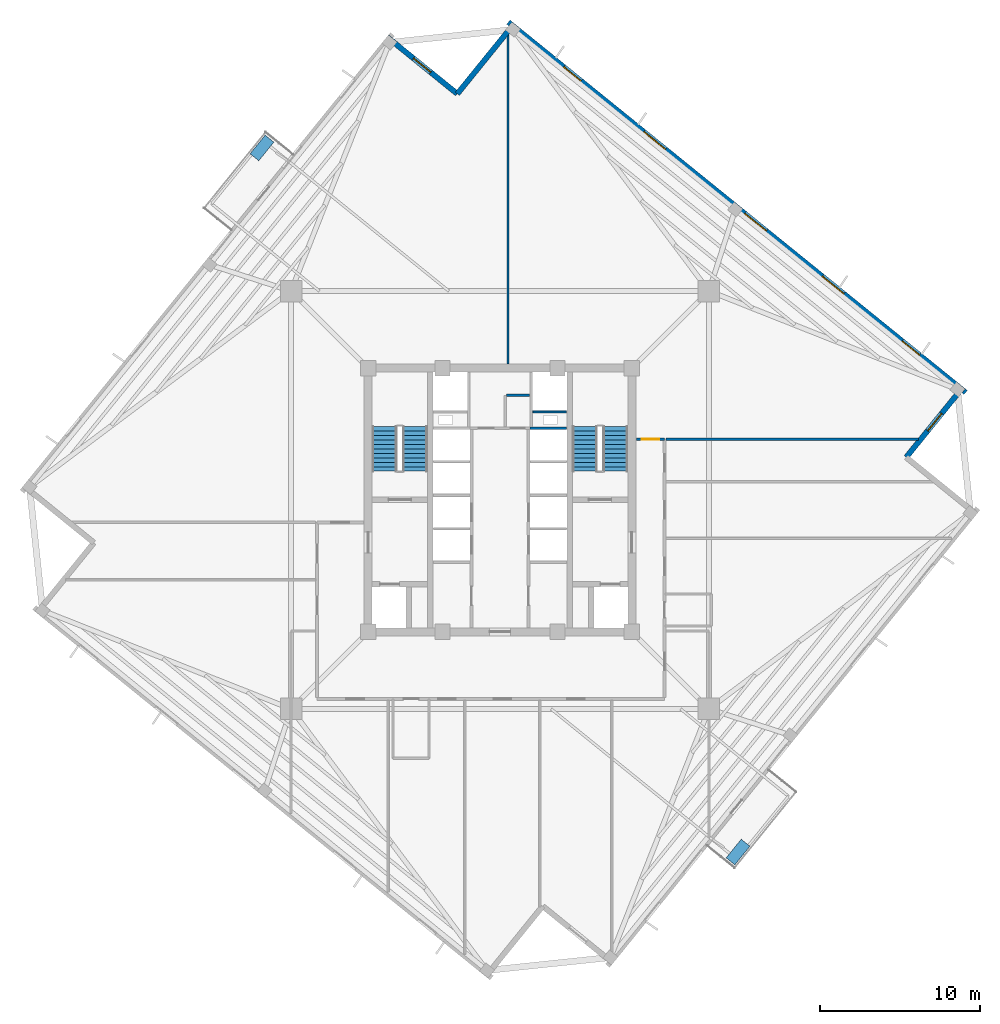
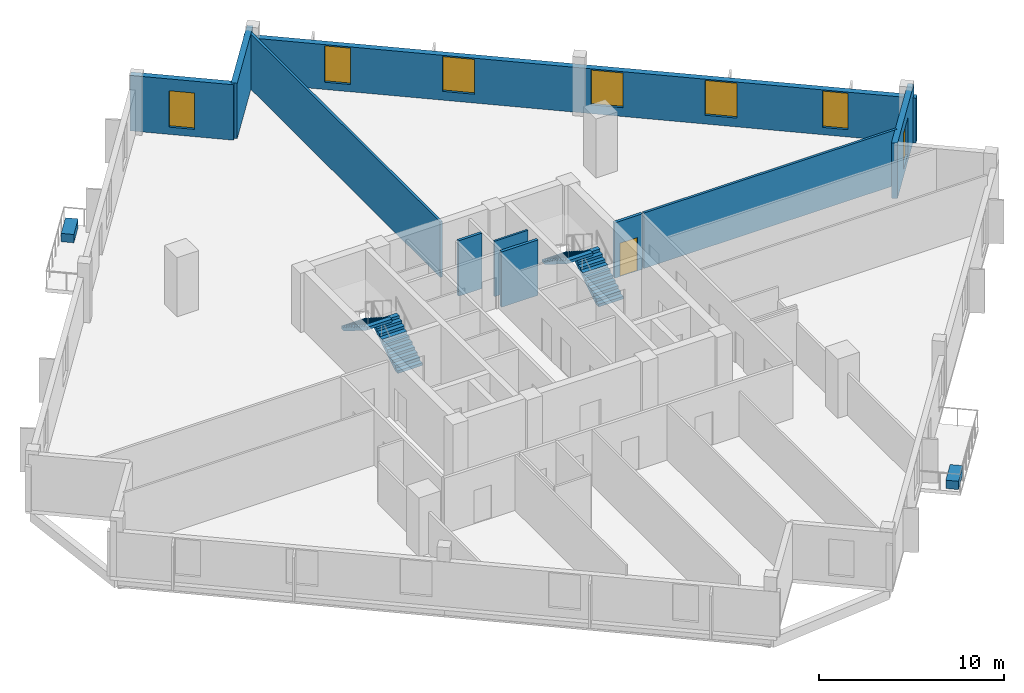
# One storey, part 5 of 9: 10 walls, 7 windows, 4 stair flights, 2 discrete accessories, 1 door, 8 openings, 2 elements without a shape of their own.
"""IFC4 building model written with IfcOpenShell, lengths in metres."""

from ifc_helpers import new_model, si_unit, direction, frame, frame_2d, origin, origin_2d, place, context, subcontext, project, spatial, polyline, rectangle, outline, extrude, source, transform, mapped, material, layer, layer_set, type_object, element, fill, aggregate, save


model = new_model("IFC4")

# Units and contexts
model_context = context("Model", 3, precision=1e-05, world=origin(), true_north=direction((0.0, 1.0)))
body_context = subcontext(model_context, "Body", "Model", "MODEL_VIEW")
ifc_project = project(units=[si_unit("LENGTHUNIT", "METRE"), si_unit("AREAUNIT", "SQUARE_METRE"), si_unit("VOLUMEUNIT", "CUBIC_METRE"), si_unit("PLANEANGLEUNIT", "RADIAN"), si_unit("MASSUNIT", "GRAM", prefix="KILO"), si_unit("THERMODYNAMICTEMPERATUREUNIT", "KELVIN")], contexts=[model_context])

# Site, building, storey
site_placement = place(None, origin())
site = spatial("IfcSite", under=ifc_project, at=site_placement, CompositionType="ELEMENT")
building_placement = place(site_placement, origin())
building = spatial("IfcBuilding", under=site, at=building_placement, Name="Kosmvard Interchange Tower", CompositionType="ELEMENT")
storey_placement = place(building_placement, frame((0.0, 0.0, 213.39990234375)))
storey = spatial("IfcBuildingStorey", under=building, at=storey_placement, Name="L51", CompositionType="ELEMENT", Elevation=213.39990234375)

# Walls
ifc_material_1 = material(Name="Acoustic gypsum partition system")
ifc_layer_1 = layer(ifc_material_1, 0.14990234375, Name="Acoustic gypsum partition system")
ifc_layer_set_1 = layer_set([ifc_layer_1], Name="Acoustic gypsum partition system")
wall_type_1 = type_object("IfcWallType", Name="Acoustic Suite & Meeting Partition 150", PredefinedType="PARTITIONING", material=ifc_layer_set_1)
wall_1_placement = place(storey_placement, frame((0.5, 8.5048828125, 0.0), z_axis=(0.0, 0.0, 1.0), x_axis=(0.0, 1.0, 0.0)))
element("IfcWall", 1, at=wall_1_placement, inside=storey, type_object=wall_type_1, Name="L51 Room Partition 01.1", PredefinedType="PARTITIONING", context=body_context, shape_type="SweptSolid", body=[
    extrude(rectangle(XDim=20.675048828125, YDim=0.14990234375, at=frame_2d((10.33740234375, 0.0))), origin(), (0.0, 0.0, 1.0), 3.66015625),
])
wall_2_placement = place(storey_placement, frame((10.39501953125, 3.800048828125, 0.0), z_axis=(0.0, 0.0, 1.0), x_axis=(1.0, 0.0, 0.0)))
element("IfcWall", 2, at=wall_2_placement, inside=storey, type_object=wall_type_1, Name="L51 Room Partition 04.1", PredefinedType="PARTITIONING", context=body_context, shape_type="SweptSolid", body=[
    extrude(rectangle(XDim=15.811767578125, YDim=0.14990234375, at=frame_2d((7.90576171875, 0.0))), origin(), (0.0, 0.0, 1.0), 3.66015625),
])
ifc_material_2 = material(Name="Concrete blockwork masonry", Category="masonry")
ifc_layer_2 = layer(ifc_material_2, 0.159912109375, Name="Concrete blockwork masonry")
ifc_layer_set_2 = layer_set([ifc_layer_2], Name="Concrete blockwork masonry")
wall_type_2 = type_object("IfcWallType", Name="Core Enclosure Split Wall 160", PredefinedType="PARTITIONING", material=ifc_layer_set_2)
wall_3_placement = place(storey_placement, frame((0.39990234375, 6.550048828125, 0.0), z_axis=(0.0, 0.0, 1.0), x_axis=(1.0, 0.0, 0.0)))
element("IfcWall", 3, at=wall_3_placement, inside=storey, type_object=wall_type_2, Name="L51 Core K3 L-Wall 2", PredefinedType="PARTITIONING", context=body_context, shape_type="SweptSolid", body=[
    extrude(rectangle(XDim=1.460205078125, YDim=0.159912109375, at=frame_2d((0.72998046875, 0.0))), origin(), (0.0, 0.0, 1.0), 3.66015625),
])

# Wall, opening, door
ifc_material_3 = material(Name="Fire-rated gypsum partition system")
ifc_layer_3 = layer(ifc_material_3, 0.179931640625, Name="Fire-rated gypsum partition system")
ifc_layer_set_3 = layer_set([ifc_layer_3], Name="Fire-rated gypsum partition system")
wall_type_3 = type_object("IfcWallType", Name="Corridor & Hotel Compartment Partition 180", PredefinedType="PARTITIONING", material=ifc_layer_set_3)
wall_4_placement = place(storey_placement, frame((8.550048828125, 3.800048828125, 0.0), z_axis=(0.0, 0.0, 1.0), x_axis=(1.0, 0.0, 0.0)))
wall_4 = element("IfcWall", 4, at=wall_4_placement, inside=storey, type_object=wall_type_3, Name="L51 Corridor Wall CNE", PredefinedType="PARTITIONING", context=body_context, shape_type="SweptSolid", body=[
    extrude(rectangle(XDim=1.75, YDim=0.179931640625, at=frame_2d((0.875, 0.0))), origin(), (0.0, 0.0, 1.0), 3.66015625),
])
opening_1_placement = place(wall_4_placement, frame((0.324951171875, 0.0, 0.0)))
opening_1 = element("IfcOpeningElement", 5, at=opening_1_placement, cuts=wall_4, Name="Opening L51-D04", PredefinedType="OPENING", context=body_context, shape_type="SweptSolid", body=[
    extrude(rectangle(XDim=1.10009765625, YDim=2.199951171875, at=frame_2d((0.550048828125, 1.10009765625))), frame((0.0, 0.10009765625, 0.0), z_axis=(0.0, -1.0, 0.0), x_axis=(1.0, 0.0, 0.0)), (0.0, 0.0, 1.0), 0.199951171875),
])
ifc_material_4 = material(Name="Engineered oak fire-rated timber", Category="wood")
door_type = type_object("IfcDoorType", Name="Office Suite Entrance Door 1100x2200 FD30S", OperationType="NOTDEFINED", PredefinedType="DOOR", material=ifc_material_4)
shared_shape_1 = source(origin(), body_context, "Body", "SweptSolid", [
    extrude(rectangle(XDim=1.10009765625, YDim=2.199951171875, at=frame_2d((0.550048828125, 1.10009765625))), frame((0.0, 0.02490234375, 0.0), z_axis=(0.0, -1.0, 0.0), x_axis=(1.0, 0.0, 0.0)), (0.0, 0.0, 1.0), 0.050048828125),
])
door_placement = place(opening_1_placement, origin())
door = element("IfcDoor", 6, at=door_placement, inside=storey, type_object=door_type, Name="L51 North-East Diplomatic Chancery Door", OperationType="SINGLE_SWING_RIGHT", OverallHeight=2.199951171875, OverallWidth=1.10009765625, PredefinedType="DOOR", context=body_context, shape_type="MappedRepresentation", body=[
    mapped(shared_shape_1, transform((0.0, 0.0, 0.0), scale=1.0)),
])
fill(opening_1, door)

# Wall, opening, window
ifc_material_5 = material(Name="Precast concrete C45/55", Category="concrete")
ifc_layer_4 = layer(ifc_material_5, 0.340087890625, Name="Precast concrete C45/55")
ifc_layer_set_4 = layer_set([ifc_layer_4], Name="Precast concrete C45/55")
wall_type_4 = type_object("IfcWallType", Name="Mid Tower Precast Pier Wall 340 C45/55", PredefinedType="STANDARD", material=ifc_layer_set_4)
wall_5_placement = place(storey_placement, frame((25.428955078125, 2.672607421875, 0.0), z_axis=(0.0, 0.0, 1.0), x_axis=(0.629299794138, 0.777162640055, 0.0)))
wall_5 = element("IfcWall", 7, at=wall_5_placement, inside=storey, type_object=wall_type_4, Name="L51 Precast Facade Wall N-SE2", PredefinedType="STANDARD", context=body_context, shape_type="SweptSolid", body=[
    extrude(rectangle(XDim=5.669921875, YDim=0.340087890625, at=frame_2d((2.8349609375, 0.0))), origin(), (0.0, 0.0, 1.0), 3.66015625),
])
opening_2_placement = place(wall_5_placement, frame((2.135009765625, 0.0, 0.47998046875)))
opening_2 = element("IfcOpeningElement", 8, at=opening_2_placement, cuts=wall_5, Name="Opening L51-W21", PredefinedType="OPENING", context=body_context, shape_type="SweptSolid", body=[
    extrude(rectangle(XDim=1.39990234375, YDim=2.39990234375, at=frame_2d((0.699951171875, 1.199951171875))), frame((0.0, 0.18017578125, 0.0), z_axis=(0.0, -1.0, 0.0), x_axis=(1.0, 0.0, 0.0)), (0.0, 0.0, 1.0), 0.360107421875),
])
ifc_material_6 = material(Name="Low-E solar-control double glazing", Category="glass")
window_type_1 = type_object("IfcWindowType", Name="Notched Corner Feature Window 1400x2400", PartitioningType="SINGLE_PANEL", PredefinedType="WINDOW", material=ifc_material_6)
shared_shape_2 = source(origin(), body_context, "Body", "SweptSolid", [
    extrude(rectangle(XDim=1.39990234375, YDim=2.39990234375, at=frame_2d((0.699951171875, 1.199951171875))), frame((0.0, 0.030029296875, 0.0), z_axis=(0.0, -1.0, 0.0), x_axis=(1.0, 0.0, 0.0)), (0.0, 0.0, 1.0), 0.06005859375),
])
window_1_placement = place(opening_2_placement, origin())
window_1 = element("IfcWindow", 9, at=window_1_placement, inside=storey, type_object=window_type_1, Name="L51 Corner Notch Window 21", OverallHeight=2.39990234375, OverallWidth=1.39990234375, PartitioningType="SINGLE_PANEL", PredefinedType="WINDOW", context=body_context, shape_type="MappedRepresentation", body=[
    mapped(shared_shape_2, transform((0.0, 0.0, 0.0), scale=1.0)),
])
fill(opening_2, window_1)

# Wall, openings, windows
wall_6_placement = place(storey_placement, frame((29.154296875, 6.73291015625, 0.0), z_axis=(0.0, 0.0, 1.0), x_axis=(-0.77714192302, 0.629325378072, 0.0)))
wall_6 = element("IfcWall", 10, at=wall_6_placement, inside=storey, type_object=wall_type_4, Name="L51 Precast Facade Wall F-E", PredefinedType="STANDARD", context=body_context, shape_type="SweptSolid", body=[
    extrude(rectangle(XDim=36.840087890625, YDim=0.340087890625, at=frame_2d((18.419921875, 0.0))), origin(), (0.0, 0.0, 1.0), 2.960205078125),
])
opening_3_placement = place(wall_6_placement, frame((3.720703125, 0.0, 0.47998046875)))
opening_3 = element("IfcOpeningElement", 11, at=opening_3_placement, cuts=wall_6, Name="Opening L51-W06", PredefinedType="OPENING", context=body_context, shape_type="SweptSolid", body=[
    extrude(rectangle(XDim=1.39990234375, YDim=2.39990234375, at=frame_2d((0.699951171875, 1.199951171875))), frame((0.0, 0.18017578125, 0.0), z_axis=(0.0, -1.0, 0.0), x_axis=(1.0, 0.0, 0.0)), (0.0, 0.0, 1.0), 0.360107421875),
])
opening_4_placement = place(wall_6_placement, frame((9.80859375, 0.0, 0.580078125)))
opening_4 = element("IfcOpeningElement", 12, at=opening_4_placement, cuts=wall_6, Name="Opening L51-W07", PredefinedType="OPENING", context=body_context, shape_type="SweptSolid", body=[
    extrude(rectangle(XDim=1.75, YDim=2.300048828125, at=frame_2d((0.875, 1.14990234375))), frame((0.0, 0.18017578125, 0.0), z_axis=(0.0, -1.0, 0.0), x_axis=(1.0, 0.0, 0.0)), (0.0, 0.0, 1.0), 0.360107421875),
])
opening_5_placement = place(wall_6_placement, frame((16.05810546875, 0.0, 0.580078125)))
opening_5 = element("IfcOpeningElement", 13, at=opening_5_placement, cuts=wall_6, Name="Opening L51-W08", PredefinedType="OPENING", context=body_context, shape_type="SweptSolid", body=[
    extrude(rectangle(XDim=1.75, YDim=2.300048828125, at=frame_2d((0.875, 1.14990234375))), frame((0.0, 0.18017578125, 0.0), z_axis=(0.0, -1.0, 0.0), x_axis=(1.0, 0.0, 0.0)), (0.0, 0.0, 1.0), 0.360107421875),
])
opening_6_placement = place(wall_6_placement, frame((24.17626953125, 0.0, 0.580078125)))
opening_6 = element("IfcOpeningElement", 14, at=opening_6_placement, cuts=wall_6, Name="Opening L51-W09", PredefinedType="OPENING", context=body_context, shape_type="SweptSolid", body=[
    extrude(rectangle(XDim=1.75, YDim=2.300048828125, at=frame_2d((0.875, 1.14990234375))), frame((0.0, 0.18017578125, 0.0), z_axis=(0.0, -1.0, 0.0), x_axis=(1.0, 0.0, 0.0)), (0.0, 0.0, 1.0), 0.360107421875),
])
opening_7_placement = place(wall_6_placement, frame((30.982421875, 0.0, 0.47998046875)))
opening_7 = element("IfcOpeningElement", 15, at=opening_7_placement, cuts=wall_6, Name="Opening L51-W10", PredefinedType="OPENING", context=body_context, shape_type="SweptSolid", body=[
    extrude(rectangle(XDim=1.39990234375, YDim=2.39990234375, at=frame_2d((0.699951171875, 1.199951171875))), frame((0.0, 0.18017578125, 0.0), z_axis=(0.0, -1.0, 0.0), x_axis=(1.0, 0.0, 0.0)), (0.0, 0.0, 1.0), 0.360107421875),
])
window_2_placement = place(opening_3_placement, origin())
window_2 = element("IfcWindow", 16, at=window_2_placement, inside=storey, type_object=window_type_1, Name="L51 Facade Punched Window 06", OverallHeight=2.39990234375, OverallWidth=1.39990234375, PartitioningType="SINGLE_PANEL", PredefinedType="WINDOW", context=body_context, shape_type="MappedRepresentation", body=[
    mapped(shared_shape_2, transform((0.0, 0.0, 0.0), scale=1.0)),
])
fill(opening_3, window_2)
window_3_placement = place(opening_7_placement, origin())
window_3 = element("IfcWindow", 17, at=window_3_placement, inside=storey, type_object=window_type_1, Name="L51 Facade Punched Window 10", OverallHeight=2.39990234375, OverallWidth=1.39990234375, PartitioningType="SINGLE_PANEL", PredefinedType="WINDOW", context=body_context, shape_type="MappedRepresentation", body=[
    mapped(shared_shape_2, transform((0.0, 0.0, 0.0), scale=1.0)),
])
fill(opening_7, window_3)
window_type_2 = type_object("IfcWindowType", Name="Zone 4 Suite Punched Window 1750x2300", PartitioningType="SINGLE_PANEL", PredefinedType="WINDOW", material=ifc_material_6)
shared_shape_3 = source(origin(), body_context, "Body", "SweptSolid", [
    extrude(rectangle(XDim=1.75, YDim=2.300048828125, at=frame_2d((0.875, 1.14990234375))), frame((0.0, 0.030029296875, 0.0), z_axis=(0.0, -1.0, 0.0), x_axis=(1.0, 0.0, 0.0)), (0.0, 0.0, 1.0), 0.06005859375),
])
window_4_placement = place(opening_4_placement, origin())
window_4 = element("IfcWindow", 18, at=window_4_placement, inside=storey, type_object=window_type_2, Name="L51 Facade Punched Window 07", OverallHeight=2.300048828125, OverallWidth=1.75, PartitioningType="SINGLE_PANEL", PredefinedType="WINDOW", context=body_context, shape_type="MappedRepresentation", body=[
    mapped(shared_shape_3, transform((0.0, 0.0, 0.0), scale=1.0)),
])
fill(opening_4, window_4)
window_5_placement = place(opening_5_placement, origin())
window_5 = element("IfcWindow", 19, at=window_5_placement, inside=storey, type_object=window_type_2, Name="L51 Facade Punched Window 08", OverallHeight=2.300048828125, OverallWidth=1.75, PartitioningType="SINGLE_PANEL", PredefinedType="WINDOW", context=body_context, shape_type="MappedRepresentation", body=[
    mapped(shared_shape_3, transform((0.0, 0.0, 0.0), scale=1.0)),
])
fill(opening_5, window_5)
window_6_placement = place(opening_6_placement, origin())
window_6 = element("IfcWindow", 20, at=window_6_placement, inside=storey, type_object=window_type_2, Name="L51 Facade Punched Window 09", OverallHeight=2.300048828125, OverallWidth=1.75, PartitioningType="SINGLE_PANEL", PredefinedType="WINDOW", context=body_context, shape_type="MappedRepresentation", body=[
    mapped(shared_shape_3, transform((0.0, 0.0, 0.0), scale=1.0)),
])
fill(opening_6, window_6)

# Wall
wall_7_placement = place(storey_placement, frame((0.78857421875, 29.703125, 0.0), z_axis=(0.0, 0.0, 1.0), x_axis=(-0.629323365087, -0.77714355312, 0.0)))
element("IfcWall", 21, at=wall_7_placement, inside=storey, type_object=wall_type_4, Name="L51 Precast Facade Wall N-NE1", PredefinedType="STANDARD", context=body_context, shape_type="SweptSolid", body=[
    extrude(rectangle(XDim=5.499755859375, YDim=0.340087890625, at=frame_2d((2.75, 0.0))), origin(), (0.0, 0.0, 1.0), 3.66015625),
])

# Wall, opening, window
wall_8_placement = place(storey_placement, frame((-2.672607421875, 25.428955078125, 0.0), z_axis=(0.0, 0.0, 1.0), x_axis=(-0.777162640055, 0.629299794138, 0.0)))
wall_8 = element("IfcWall", 22, at=wall_8_placement, inside=storey, type_object=wall_type_4, Name="L51 Precast Facade Wall N-NE2", PredefinedType="STANDARD", context=body_context, shape_type="SweptSolid", body=[
    extrude(rectangle(XDim=5.669921875, YDim=0.340087890625, at=frame_2d((2.8349609375, 0.0))), origin(), (0.0, 0.0, 1.0), 3.66015625),
])
opening_8_placement = place(wall_8_placement, frame((2.135009765625, 0.0, 0.47998046875)))
opening_8 = element("IfcOpeningElement", 23, at=opening_8_placement, cuts=wall_8, Name="Opening L51-W22", PredefinedType="OPENING", context=body_context, shape_type="SweptSolid", body=[
    extrude(rectangle(XDim=1.39990234375, YDim=2.39990234375, at=frame_2d((0.699951171875, 1.199951171875))), frame((0.0, 0.18017578125, 0.0), z_axis=(0.0, -1.0, 0.0), x_axis=(1.0, 0.0, 0.0)), (0.0, 0.0, 1.0), 0.360107421875),
])
window_7_placement = place(opening_8_placement, origin())
window_7 = element("IfcWindow", 24, at=window_7_placement, inside=storey, type_object=window_type_1, Name="L51 Corner Notch Window 22", OverallHeight=2.39990234375, OverallWidth=1.39990234375, PartitioningType="SINGLE_PANEL", PredefinedType="WINDOW", context=body_context, shape_type="MappedRepresentation", body=[
    mapped(shared_shape_2, transform((0.0, 0.0, 0.0), scale=1.0)),
])
fill(opening_8, window_7)

# Walls
ifc_layer_5 = layer(ifc_material_2, 0.179931640625, Name="Concrete blockwork masonry")
ifc_layer_set_5 = layer_set([ifc_layer_5], Name="Concrete blockwork masonry")
wall_type_5 = type_object("IfcWallType", Name="Riser & Lift Bank Divider Wall 180", PredefinedType="PARTITIONING", material=ifc_layer_set_5)
wall_9_placement = place(storey_placement, frame((1.889892578125, 4.489990234375, 0.0), z_axis=(0.0, 0.0, 1.0), x_axis=(1.0, 0.0, 0.0)))
element("IfcWall", 25, at=wall_9_placement, inside=storey, type_object=wall_type_5, Name="L51 East Bank Divider BD3", PredefinedType="PARTITIONING", context=body_context, shape_type="SweptSolid", body=[
    extrude(rectangle(XDim=2.280029296875, YDim=0.179931640625, at=frame_2d((1.14013671875, 0.0))), origin(), (0.0, 0.0, 1.0), 3.66015625),
])
ifc_material_7 = material(Name="Fire-rated gypsum shaftwall system")
ifc_layer_6 = layer(ifc_material_7, 0.1201171875, Name="Fire-rated gypsum shaftwall system")
ifc_layer_set_6 = layer_set([ifc_layer_6], Name="Fire-rated gypsum shaftwall system")
wall_type_6 = type_object("IfcWallType", Name="Shaft & Riser Fire Partition 120 EI60", PredefinedType="PARTITIONING", material=ifc_layer_set_6)
wall_10_placement = place(storey_placement, frame((2.06005859375, 5.52001953125, 0.0), z_axis=(0.0, 0.0, 1.0), x_axis=(1.0, 0.0, 0.0)))
element("IfcWall", 26, at=wall_10_placement, inside=storey, type_object=wall_type_6, Name="L51 Riser Shaft Divider E", PredefinedType="PARTITIONING", context=body_context, shape_type="SweptSolid", body=[
    extrude(rectangle(XDim=2.099853515625, YDim=0.1201171875, at=frame_2d((1.0498046875, 0.0))), origin(), (0.0, 0.0, 1.0), 3.66015625),
])

# Stair, stair flights
ifc_material_8 = material(Name="Concrete C50/60", Category="concrete")
stair_type = type_object("IfcStairType", Name="Dog-Leg Core Exit Stair H3900 C50/60", PredefinedType="HALF_TURN_STAIR", material=ifc_material_8)
stair_1_placement = place(storey_placement, origin())
stair_1 = element("IfcStair", 27, at=stair_1_placement, inside=storey, type_object=stair_type, Name="L51 Protected Exit Stair ST-1", PredefinedType="HALF_TURN_STAIR")
stair_flight_type = type_object("IfcStairFlightType", Name="Core Stair Flight W1550 H3900 C50/60", PredefinedType="STRAIGHT", material=ifc_material_8)
shared_shape_4 = source(origin(), body_context, "Body", "SweptSolid", [
    extrude(outline(polyline([(0.0, 0.0), (0.0, 0.17724609375), (0.280029296875, 0.17724609375), (0.280029296875, 0.3544921875), (0.56005859375, 0.3544921875), (0.56005859375, 0.53173828125), (0.840087890625, 0.53173828125), (0.840087890625, 0.708984375), (1.1201171875, 0.708984375), (1.1201171875, 0.886474609375), (1.39990234375, 0.886474609375), (1.39990234375, 1.063720703125), (1.679931640625, 1.063720703125), (1.679931640625, 1.240966796875), (1.9599609375, 1.240966796875), (1.9599609375, 1.418212890625), (2.239990234375, 1.418212890625), (2.239990234375, 1.595458984375), (2.52001953125, 1.595458984375), (2.52001953125, 1.772705078125), (2.800048828125, 1.772705078125), (2.800048828125, 1.949951171875), (2.800048828125, 1.58349609375), (0.298828125, 0.0), (0.0, 0.0)])), frame((0.0, 0.77490234375, 0.0), z_axis=(0.0, -1.0, 0.0), x_axis=(1.0, 0.0, 0.0)), (0.0, 0.0, 1.0), 1.550048828125),
])
stair_flight_1_placement = place(storey_placement, frame((-5.31494140625, 1.800048828125, 0.0), z_axis=(0.0, 0.0, 1.0), x_axis=(0.0, 1.0, 0.0)))
stair_flight_1 = element("IfcStairFlight", 28, at=stair_flight_1_placement, type_object=stair_flight_type, Name="ST-1 flight 1", NumberOfRisers=11, NumberOfTreads=10, PredefinedType="STRAIGHT", RiserHeight=0.177272727, TreadLength=0.28, context=body_context, shape_type="MappedRepresentation", body=[
    mapped(shared_shape_4, transform((0.0, 0.0, 0.0), scale=1.0)),
])
stair_flight_2_placement = place(storey_placement, frame((-7.22509765625, 4.60009765625, 1.9501953125), z_axis=(0.0, 0.0, 1.0), x_axis=(0.0, -1.0, 0.0)))
stair_flight_2 = element("IfcStairFlight", 29, at=stair_flight_2_placement, type_object=stair_flight_type, Name="ST-1 flight 2", NumberOfRisers=11, NumberOfTreads=10, PredefinedType="STRAIGHT", RiserHeight=0.177272727, TreadLength=0.28, context=body_context, shape_type="MappedRepresentation", body=[
    mapped(shared_shape_4, transform((0.0, 0.0, 0.0), scale=1.0)),
])
aggregate(stair_1, [stair_flight_1, stair_flight_2])

stair_2_placement = place(storey_placement, origin())
stair_2 = element("IfcStair", 30, at=stair_2_placement, inside=storey, type_object=stair_type, Name="L51 Protected Exit Stair ST-2", PredefinedType="HALF_TURN_STAIR")
stair_flight_3_placement = place(storey_placement, frame((7.22509765625, 1.800048828125, 0.0), z_axis=(0.0, 0.0, 1.0), x_axis=(0.0, 1.0, 0.0)))
stair_flight_3 = element("IfcStairFlight", 31, at=stair_flight_3_placement, type_object=stair_flight_type, Name="ST-2 flight 1", NumberOfRisers=11, NumberOfTreads=10, PredefinedType="STRAIGHT", RiserHeight=0.177272727, TreadLength=0.28, context=body_context, shape_type="MappedRepresentation", body=[
    mapped(shared_shape_4, transform((0.0, 0.0, 0.0), scale=1.0)),
])
stair_flight_4_placement = place(storey_placement, frame((5.31494140625, 4.60009765625, 1.9501953125), z_axis=(0.0, 0.0, 1.0), x_axis=(0.0, -1.0, 0.0)))
stair_flight_4 = element("IfcStairFlight", 32, at=stair_flight_4_placement, type_object=stair_flight_type, Name="ST-2 flight 2", NumberOfRisers=11, NumberOfTreads=10, PredefinedType="STRAIGHT", RiserHeight=0.177272727, TreadLength=0.28, context=body_context, shape_type="MappedRepresentation", body=[
    mapped(shared_shape_4, transform((0.0, 0.0, 0.0), scale=1.0)),
])
aggregate(stair_2, [stair_flight_3, stair_flight_4])

# Discrete accessories
ifc_material_9 = material(Name="Terracotta precast planter concrete C45/55", Category="masonry")
discrete_accessory_type = type_object("IfcDiscreteAccessoryType", Name="Precast Tree-Balcony & Terrace Planter Box", PredefinedType="USERDEFINED", material=ifc_material_9)
shared_shape_5 = source(origin(), body_context, "Body", "SweptSolid", [
    extrude(rectangle(XDim=1.5, YDim=0.699951171875, at=origin_2d()), origin(), (0.0, 0.0, 1.0), 0.550048828125),
])
for number, where, z_axis, x_axis, name in (
    (33, (14.901123046875, -22.0390625, 0.0), (0.0, 0.0, 1.0), (0.62932039105, 0.777145961457, 0.0), "L51 Balcony Tree Planter BAL-L51-S"),
    (34, (-14.901123046875, 22.0390625, 0.0), (0.0, 0.0, 1.0), (0.62932039105, 0.777145961457, 0.0), "L51 Balcony Tree Planter BAL-L51-N"),
):
    element("IfcDiscreteAccessory", number, at=place(storey_placement, frame(where, z_axis=z_axis, x_axis=x_axis)), inside=storey, type_object=discrete_accessory_type, Name=name, ObjectType="PLANTER", PredefinedType="USERDEFINED", context=body_context, shape_type="MappedRepresentation", body=[
        mapped(shared_shape_5, transform((0.0, 0.0, 0.0), scale=1.0)),
    ])

save(model, "model.ifc")
